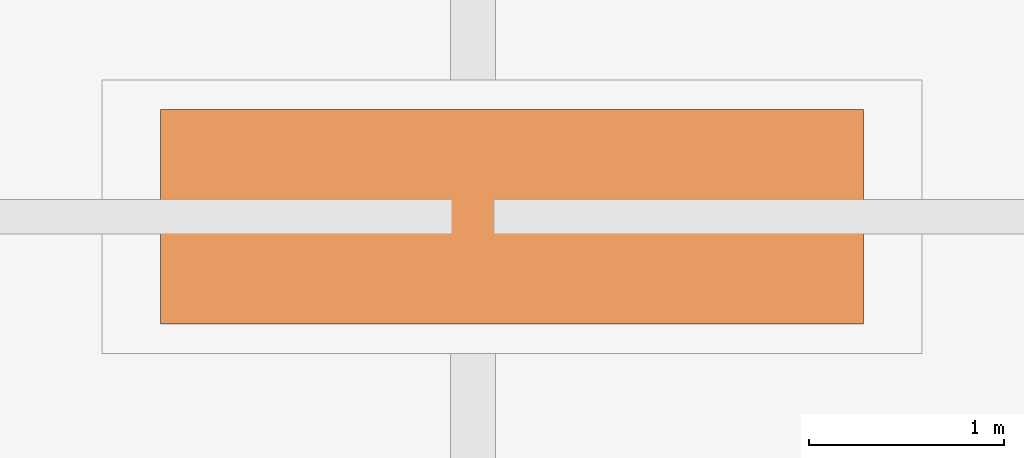
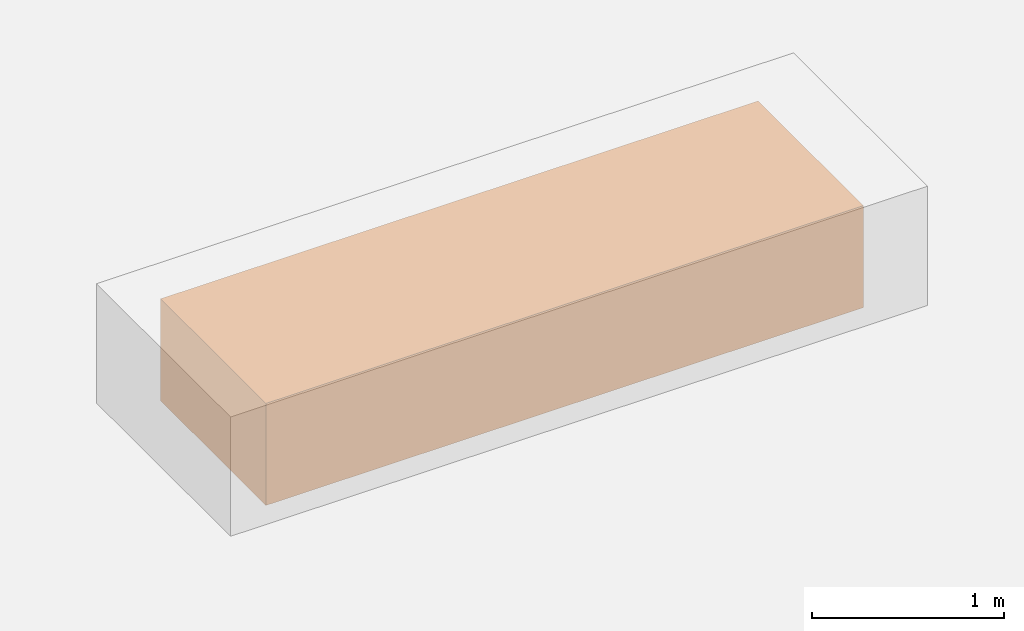
# One storey, part 51 of 51: 1 proxy.
"""IFC4 building model written with IfcOpenShell, lengths in metres."""

from ifc_helpers import new_model, si_unit, direction, frame, origin, origin_2d, place, context, subcontext, project, spatial, rectangle, extrude, material, type_object, element, save


model = new_model("IFC4")

# Units and contexts
model_context = context("Model", 3, precision=1e-05, world=origin(), true_north=direction((0.0, 1.0)))
body_context = subcontext(model_context, "Body", "Model", "MODEL_VIEW")
ifc_project = project(units=[si_unit("LENGTHUNIT", "METRE"), si_unit("AREAUNIT", "SQUARE_METRE"), si_unit("VOLUMEUNIT", "CUBIC_METRE"), si_unit("PLANEANGLEUNIT", "RADIAN"), si_unit("MASSUNIT", "GRAM", prefix="KILO")], contexts=[model_context])

# Site, building, storey
site_placement = place(None, origin())
site = spatial("IfcSite", under=ifc_project, at=site_placement, CompositionType="ELEMENT")
building_placement = place(site_placement, origin())
building = spatial("IfcBuilding", under=site, at=building_placement, Name="Tashvorn Skyway Center", CompositionType="ELEMENT")
storey_placement = place(building_placement, frame((0.0, 0.0, 259.39990234375)))
storey = spatial("IfcBuildingStorey", under=building, at=storey_placement, Name="L70", CompositionType="ELEMENT", Elevation=259.39990234375)

# Proxy
ifc_material = material(Name="Engineered Mojave xeriscape planter concrete C40/50", Category="concrete")
building_element_proxy_type = type_object("IfcBuildingElementProxyType", Name="FURN-PLANTER", PredefinedType="USERDEFINED", material=ifc_material)
proxy_placement = place(storey_placement, frame((8.60009765625, 32.0, 0.000244140625), z_axis=(0.0, 0.0, 1.0), x_axis=(1.0, 0.0, 0.0)))
element("IfcBuildingElementProxy", 1, at=proxy_placement, inside=storey, type_object=building_element_proxy_type, Name="Sky-Park L70 Mojave Xeriscape PLANTER", ObjectType="PLANTER", PredefinedType="USERDEFINED", context=body_context, shape_type="SweptSolid", body=[
    extrude(rectangle(XDim=3.60009765625, YDim=1.10009765625, at=origin_2d()), origin(), (0.0, 0.0, 1.0), 0.64990234375),
])

save(model, "model.ifc")
